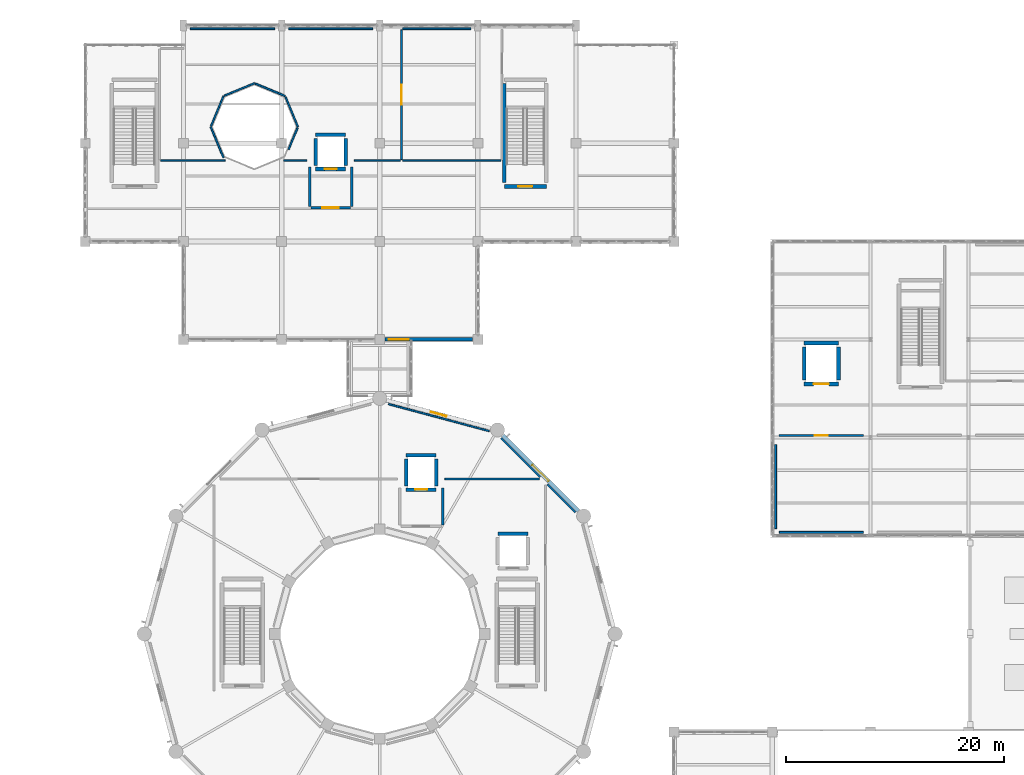
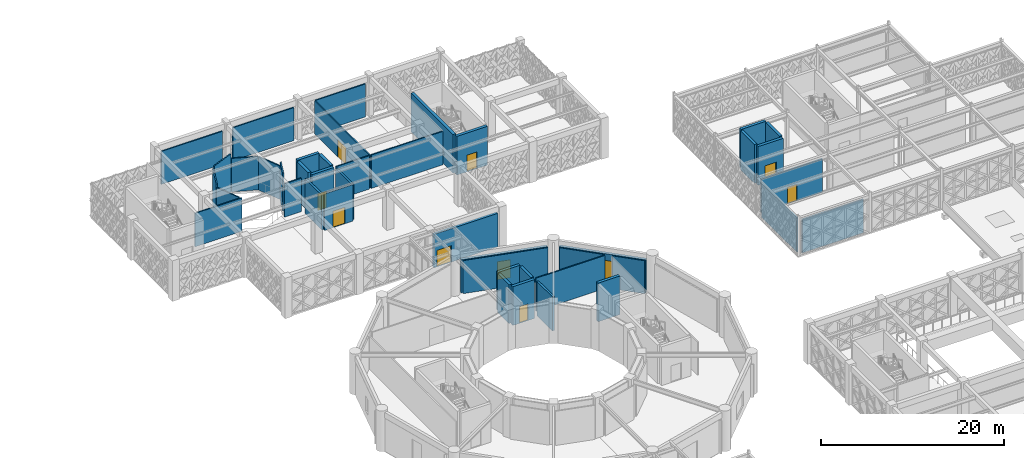
# One storey, part 135 of 155: 43 walls, 8 doors, 2 windows, 10 openings.
"""IFC4 building model written with IfcOpenShell, lengths in metres."""

from ifc_helpers import new_model, si_unit, direction, frame, frame_2d, origin, place, context, subcontext, project, spatial, rectangle, extrude, material, layer, layer_set, type_object, element, fill, save


model = new_model("IFC4")

# Units and contexts
model_context = context("Model", 3, precision=1e-05, world=origin(), true_north=direction((0.0, 1.0)))
body_context = subcontext(model_context, "Body", "Model", "MODEL_VIEW")
ifc_project = project(units=[si_unit("LENGTHUNIT", "METRE"), si_unit("AREAUNIT", "SQUARE_METRE"), si_unit("VOLUMEUNIT", "CUBIC_METRE"), si_unit("PLANEANGLEUNIT", "RADIAN"), si_unit("MASSUNIT", "GRAM", prefix="KILO")], contexts=[model_context])

# Site, building, storey
site_placement = place(None, origin())
site = spatial("IfcSite", under=ifc_project, at=site_placement, CompositionType="ELEMENT")
building_placement = place(site_placement, origin())
building = spatial("IfcBuilding", under=site, at=building_placement, Name="Haizhuo Lancet Aquarium", CompositionType="ELEMENT")
storey_placement = place(building_placement, frame((0.0, 0.0, 10.800048828125)))
storey = spatial("IfcBuildingStorey", under=building, at=storey_placement, Name="L02", CompositionType="ELEMENT", Elevation=10.800048828125)

# Wall, opening, door
ifc_material_1 = material(Name="Shandong Grey Limestone Ashlar", Category="masonry")
ifc_layer_1 = layer(ifc_material_1, 0.320068359375)
ifc_layer_set_1 = layer_set([ifc_layer_1], Name="Shandong Grey Limestone Ashlar")
wall_type_1 = type_object("IfcWallType", Name="EWL-ASH-320", PredefinedType="SOLIDWALL", material=ifc_layer_set_1)
wall_1_placement = place(storey_placement, frame((8.5048828125, 27.0, 0.0), z_axis=(0.0, 0.0, 1.0), x_axis=(-1.0, 0.0, 0.0)))
wall_1 = element("IfcWall", 1, at=wall_1_placement, inside=storey, type_object=wall_type_1, Name="L02 V5 sky-bridge portal wall", PredefinedType="SOLIDWALL", context=body_context, shape_type="SweptSolid", body=[
    extrude(rectangle(XDim=8.009765625, YDim=0.320068359375, at=frame_2d((4.0048828125, 0.0))), origin(), (0.0, 0.0, 1.0), 4.445068359375),
])
opening_1_placement = place(wall_1_placement, frame((5.860107421875, 0.0, 0.0)))
opening_1 = element("IfcOpeningElement", 2, at=opening_1_placement, cuts=wall_1, Name="Opening EX-01", PredefinedType="OPENING", context=body_context, shape_type="SweptSolid", body=[
    extrude(rectangle(XDim=1.800048828125, YDim=2.199951171875, at=frame_2d((0.89990234375, 1.10009765625))), frame((0.0, 0.169921875, 0.0), z_axis=(0.0, -1.0, 0.0), x_axis=(1.0, 0.0, 0.0)), (0.0, 0.0, 1.0), 0.340068),
])
ifc_material_2 = material(Name="Steel S355", Category="steel")
door_type_1 = type_object("IfcDoorType", Name="EDR-EXIT-1800x2200", OperationType="NOTDEFINED", PredefinedType="DOOR", material=ifc_material_2)
door_1_placement = place(opening_1_placement, origin())
door_1 = element("IfcDoor", 3, at=door_1_placement, inside=storey, type_object=door_type_1, Name="L02 V5 sky-bridge vestibule fire door", OperationType="DOUBLE_DOOR_SINGLE_SWING", OverallHeight=2.199951171875, OverallWidth=1.800048828125, PredefinedType="DOOR", context=body_context, shape_type="SweptSolid", body=[
    extrude(rectangle(XDim=1.800048828125, YDim=2.199951171875, at=frame_2d((0.89990234375, 1.10009765625))), frame((0.0, 0.02490234375, 0.0), z_axis=(0.0, -1.0, 0.0), x_axis=(1.0, 0.0, 0.0)), (0.0, 0.0, 1.0), 0.050048828125),
])
fill(opening_1, door_1)

# Wall, opening, window
ifc_layer_2 = layer(ifc_material_1, 0.360107421875)
ifc_layer_set_2 = layer_set([ifc_layer_2], Name="Shandong Grey Limestone Ashlar")
wall_type_2 = type_object("IfcWallType", Name="EWL-ASH-360", PredefinedType="SOLIDWALL", material=ifc_layer_set_2)
wall_2_placement = place(storey_placement, frame((11.291015625, 18.215087890625, 0.0), z_axis=(0.0, 0.0, 1.0), x_axis=(0.707106781187, -0.707106781187, 0.0)))
wall_2 = element("IfcWall", 4, at=wall_2_placement, inside=storey, type_object=wall_type_2, Name="L02 V1 limestone drum wall bay 2", PredefinedType="SOLIDWALL", context=body_context, shape_type="SweptSolid", body=[
    extrude(rectangle(XDim=9.792236328125, YDim=0.360107421875, at=frame_2d((4.89599609375, 0.0))), origin(), (0.0, 0.0, 1.0), 4.39501953125),
])
opening_2_placement = place(wall_2_placement, frame((3.845947265625, 0.0, 0.89990234375)))
opening_2 = element("IfcOpeningElement", 5, at=opening_2_placement, cuts=wall_2, Name="Opening WN-07", PredefinedType="OPENING", context=body_context, shape_type="SweptSolid", body=[
    extrude(rectangle(XDim=2.10009765625, YDim=2.60009765625, at=frame_2d((1.050048828125, 1.300048828125))), frame((0.0, 0.18994140625, 0.0), z_axis=(0.0, -1.0, 0.0), x_axis=(1.0, 0.0, 0.0)), (0.0, 0.0, 1.0), 0.380107),
])
ifc_material_3 = material(Name="Laminated Low-E Glass", Category="glass")
window_type_1 = type_object("IfcWindowType", Name="WIN-LAN-2100x2600", PartitioningType="SINGLE_PANEL", PredefinedType="WINDOW", material=ifc_material_3)
window_1_placement = place(opening_2_placement, origin())
window_1 = element("IfcWindow", 6, at=window_1_placement, inside=storey, type_object=window_type_1, Name="L02 Gothic lancet window 22", OverallHeight=2.60009765625, OverallWidth=2.10009765625, PartitioningType="SINGLE_PANEL", PredefinedType="WINDOW", context=body_context, shape_type="SweptSolid", body=[
    extrude(rectangle(XDim=2.10009765625, YDim=2.60009765625, at=frame_2d((1.050048828125, 1.300048828125))), frame((0.0, 0.030029296875, 0.0), z_axis=(0.0, -1.0, 0.0), x_axis=(1.0, 0.0, 0.0)), (0.0, 0.0, 1.0), 0.06005859375),
])
fill(opening_2, window_1)

wall_3_placement = place(storey_placement, frame((0.6708984375, 21.419921875, 0.0), z_axis=(0.0, 0.0, 1.0), x_axis=(0.965934251614, -0.258787599316, 0.0)))
wall_3 = element("IfcWall", 7, at=wall_3_placement, inside=storey, type_object=wall_type_2, Name="L02 V1 limestone drum wall bay 3", PredefinedType="SOLIDWALL", context=body_context, shape_type="SweptSolid", body=[
    extrude(rectangle(XDim=9.79150390625, YDim=0.360107421875, at=frame_2d((4.895751953125, 0.0))), origin(), (0.0, 0.0, 1.0), 4.39501953125),
])
opening_3_placement = place(wall_3_placement, frame((4.14599609375, 0.0, 0.89990234375)))
opening_3 = element("IfcOpeningElement", 8, at=opening_3_placement, cuts=wall_3, Name="Opening WN-04", PredefinedType="OPENING", context=body_context, shape_type="SweptSolid", body=[
    extrude(rectangle(XDim=1.5, YDim=2.39990234375, at=frame_2d((0.75, 1.199951171875))), frame((0.0, 0.18994140625, 0.0), z_axis=(0.0, -1.0, 0.0), x_axis=(1.0, 0.0, 0.0)), (0.0, 0.0, 1.0), 0.380107),
])
window_type_2 = type_object("IfcWindowType", Name="WIN-LAN-1500x2400", PartitioningType="SINGLE_PANEL", PredefinedType="WINDOW", material=ifc_material_3)
window_2_placement = place(opening_3_placement, origin())
window_2 = element("IfcWindow", 9, at=window_2_placement, inside=storey, type_object=window_type_2, Name="L02 Gothic lancet window 23", OverallHeight=2.39990234375, OverallWidth=1.5, PartitioningType="SINGLE_PANEL", PredefinedType="WINDOW", context=body_context, shape_type="SweptSolid", body=[
    extrude(rectangle(XDim=1.5, YDim=2.39990234375, at=frame_2d((0.75, 1.199951171875))), frame((0.0, 0.030029296875, 0.0), z_axis=(0.0, -1.0, 0.0), x_axis=(1.0, 0.0, 0.0)), (0.0, 0.0, 1.0), 0.06005859375),
])
fill(opening_3, window_2)

# Wall
ifc_material_4 = material(Name="Concrete C40/50", Category="concrete")
ifc_layer_3 = layer(ifc_material_4, 0.239990234375)
ifc_layer_set_3 = layer_set([ifc_layer_3], Name="Concrete C40/50")
wall_type_3 = type_object("IfcWallType", Name="IWL-FIRE-240", PredefinedType="PARTITIONING", material=ifc_layer_set_3)
wall_4_placement = place(storey_placement, frame((5.77001953125, 10.0, 0.0), z_axis=(0.0, 0.0, 1.0), x_axis=(0.0, 1.0, 0.0)))
element("IfcWall", 10, at=wall_4_placement, inside=storey, type_object=wall_type_3, Name="L02 LF-01 firefighting lift lobby firewall E", PredefinedType="PARTITIONING", context=body_context, shape_type="SweptSolid", body=[
    extrude(rectangle(XDim=3.39990234375, YDim=0.239990234375, at=frame_2d((1.699951171875, 0.0))), origin(), (0.0, 0.0, 1.0), 4.544921875),
])

# Wall, opening, door
wall_5_placement = place(storey_placement, frame((-6.300048828125, 39.080078125, 0.0), z_axis=(0.0, 0.0, 1.0), x_axis=(1.0, 0.0, 0.0)))
wall_5 = element("IfcWall", 11, at=wall_5_placement, inside=storey, type_object=wall_type_3, Name="L02 LF-02 protected lift lobby firewall S", PredefinedType="PARTITIONING", context=body_context, shape_type="SweptSolid", body=[
    extrude(rectangle(XDim=3.60009765625, YDim=0.239990234375, at=frame_2d((1.800048828125, 0.0))), origin(), (0.0, 0.0, 1.0), 4.844970703125),
])
opening_4_placement = place(wall_5_placement, frame((1.050048828125, 0.0, 0.0)))
opening_4 = element("IfcOpeningElement", 12, at=opening_4_placement, cuts=wall_5, Name="Opening FD-03", PredefinedType="OPENING", context=body_context, shape_type="SweptSolid", body=[
    extrude(rectangle(XDim=1.5, YDim=2.199951171875, at=frame_2d((0.75, 1.10009765625))), frame((0.0, 0.1298828125, 0.0), z_axis=(0.0, -1.0, 0.0), x_axis=(1.0, 0.0, 0.0)), (0.0, 0.0, 1.0), 0.25999),
])
door_type_2 = type_object("IfcDoorType", Name="IDR-FFL-1500x2200", OperationType="NOTDEFINED", PredefinedType="DOOR", material=ifc_material_2)
door_2_placement = place(opening_4_placement, origin())
door_2 = element("IfcDoor", 13, at=door_2_placement, inside=storey, type_object=door_type_2, Name="L02 LF-02 protected lift lobby door", OperationType="SINGLE_SWING_LEFT", OverallHeight=2.199951171875, OverallWidth=1.5, PredefinedType="DOOR", context=body_context, shape_type="SweptSolid", body=[
    extrude(rectangle(XDim=1.5, YDim=2.199951171875, at=frame_2d((0.75, 1.10009765625))), frame((0.0, 0.02490234375, 0.0), z_axis=(0.0, -1.0, 0.0), x_axis=(1.0, 0.0, 0.0)), (0.0, 0.0, 1.0), 0.050048828125),
])
fill(opening_4, door_2)

# Walls
for number, where, z_axis, x_axis, name in (
    (14, (-6.419921875, 39.199951171875, 0.0), (0.0, 0.0, 1.0), (0.0, 1.0, 0.0), "L02 LF-02 protected lift lobby firewall W"),
    (15, (-2.580078125, 39.199951171875, 0.0), (0.0, 0.0, 1.0), (0.0, 1.0, 0.0), "L02 LF-02 protected lift lobby firewall E"),
):
    element("IfcWall", number, at=place(storey_placement, frame(where, z_axis=z_axis, x_axis=x_axis)), inside=storey, type_object=wall_type_3, Name=name, PredefinedType="PARTITIONING", context=body_context, shape_type="SweptSolid", body=[
        extrude(rectangle(XDim=3.60009765625, YDim=0.239990234375, at=frame_2d((1.800048828125, 0.0))), origin(), (0.0, 0.0, 1.0), 4.64501953125),
    ])
ifc_layer_4 = layer(ifc_material_4, 0.179931640625)
ifc_layer_set_4 = layer_set([ifc_layer_4], Name="Concrete C40/50")
wall_type_4 = type_object("IfcWallType", Name="IWL-LAB-180", PredefinedType="PARTITIONING", material=ifc_layer_set_4)
wall_6_placement = place(storey_placement, frame((36.64990234375, 9.300048828125, 0.0), z_axis=(0.0, 0.0, 1.0), x_axis=(1.0, 0.0, 0.0)))
element("IfcWall", 16, at=wall_6_placement, inside=storey, type_object=wall_type_4, Name="L02 partition wall 426", PredefinedType="PARTITIONING", context=body_context, shape_type="SweptSolid", body=[
    extrude(rectangle(XDim=7.7001953125, YDim=0.179931640625, at=frame_2d((3.85009765625, 0.0))), origin(), (0.0, 0.0, 1.0), 4.447021484375),
])

# Wall, opening, door
wall_7_placement = place(storey_placement, frame((44.360107421875, 18.199951171875, 0.0), z_axis=(0.0, 0.0, 1.0), x_axis=(-0.999999967998, -0.000252988418, 0.0)))
wall_7 = element("IfcWall", 17, at=wall_7_placement, inside=storey, type_object=wall_type_4, Name="L02 partition wall 436", PredefinedType="PARTITIONING", context=body_context, shape_type="SweptSolid", body=[
    extrude(rectangle(XDim=7.72021484375, YDim=0.179931640625, at=frame_2d((3.860107421875, 0.0))), origin(), (0.0, 0.0, 1.0), 4.447021484375),
])
opening_5_placement = place(wall_7_placement, frame((3.260009765625, 0.0, 0.0)))
opening_5 = element("IfcOpeningElement", 18, at=opening_5_placement, cuts=wall_7, Name="Opening D-04", PredefinedType="OPENING", context=body_context, shape_type="SweptSolid", body=[
    extrude(rectangle(XDim=1.199951171875, YDim=2.199951171875, at=frame_2d((0.60009765625, 1.10009765625))), frame((0.0, 0.099853515625, 0.0), z_axis=(0.0, -1.0, 0.0), x_axis=(1.0, 0.0, 0.0)), (0.0, 0.0, 1.0), 0.199932),
])
door_type_3 = type_object("IfcDoorType", Name="IDR-LAB-1200x2200", OperationType="NOTDEFINED", PredefinedType="DOOR", material=ifc_material_2)
door_3_placement = place(opening_5_placement, origin())
door_3 = element("IfcDoor", 19, at=door_3_placement, inside=storey, type_object=door_type_3, Name="L02 Quarantine Veterinary Holding Suite door", OperationType="SINGLE_SWING_RIGHT", OverallHeight=2.199951171875, OverallWidth=1.199951171875, PredefinedType="DOOR", context=body_context, shape_type="SweptSolid", body=[
    extrude(rectangle(XDim=1.199951171875, YDim=2.199951171875, at=frame_2d((0.60009765625, 1.10009765625))), frame((0.0, 0.02490234375, 0.0), z_axis=(0.0, -1.0, 0.0), x_axis=(1.0, 0.0, 0.0)), (0.0, 0.0, 1.0), 0.050048828125),
])
fill(opening_5, door_3)

# Walls
wall_8_placement = place(storey_placement, frame((36.300048828125, 17.35009765625, 0.0), z_axis=(0.0, 0.0, 1.0), x_axis=(0.0, -1.0, 0.0)))
element("IfcWall", 20, at=wall_8_placement, inside=storey, type_object=wall_type_4, Name="L02 partition wall 437", PredefinedType="PARTITIONING", context=body_context, shape_type="SweptSolid", body=[
    extrude(rectangle(XDim=7.7001953125, YDim=0.179931640625, at=frame_2d((3.85009765625, 0.0))), origin(), (0.0, 0.0, 1.0), 4.534912109375),
])
ifc_material_5 = material(Name="Gypsum Fireboard Partition")
ifc_layer_5 = layer(ifc_material_5, 0.14990234375)
ifc_layer_set_5 = layer_set([ifc_layer_5], Name="Gypsum Fireboard Partition")
wall_type_5 = type_object("IfcWallType", Name="IWL-STD-150", PredefinedType="PARTITIONING", material=ifc_layer_set_5)
wall_9_placement = place(storey_placement, frame((17.946044921875, 11.135009765625, 0.0), z_axis=(0.0, 0.0, 1.0), x_axis=(-0.706972707094, 0.707240829862, 0.0)))
element("IfcWall", 21, at=wall_9_placement, inside=storey, type_object=wall_type_5, Name="L02 partition wall 355", PredefinedType="PARTITIONING", context=body_context, shape_type="SweptSolid", body=[
    extrude(rectangle(XDim=3.642333984375, YDim=0.14990234375, at=frame_2d((1.8212890625, 0.0))), origin(), (0.0, 0.0, 1.0), 4.39501953125),
])
wall_10_placement = place(storey_placement, frame((5.97509765625, 14.201904296875, 0.0), z_axis=(0.0, 0.0, 1.0), x_axis=(0.999999974595, -0.000225409253, 0.0)))
element("IfcWall", 22, at=wall_10_placement, inside=storey, type_object=wall_type_5, Name="L02 partition wall 365", PredefinedType="PARTITIONING", context=body_context, shape_type="SweptSolid", body=[
    extrude(rectangle(XDim=8.664794921875, YDim=0.14990234375, at=frame_2d((4.33251953125, 0.0))), origin(), (0.0, 0.0, 1.0), 4.39501953125),
])
wall_11_placement = place(storey_placement, frame((14.7109375, 14.37109375, 0.0), z_axis=(0.0, 0.0, 1.0), x_axis=(-0.707203340899, 0.707010208287, 0.0)))
element("IfcWall", 23, at=wall_11_placement, inside=storey, type_object=wall_type_5, Name="L02 partition wall 366", PredefinedType="PARTITIONING", context=body_context, shape_type="SweptSolid", body=[
    extrude(rectangle(XDim=5.056396484375, YDim=0.14990234375, at=frame_2d((2.5283203125, 0.0))), origin(), (0.0, 0.0, 1.0), 4.39501953125),
])
wall_12_placement = place(storey_placement, frame((10.0400390625, 18.596923828125, 0.0), z_axis=(0.0, 0.0, 1.0), x_axis=(-0.965872416838, 0.259018289684, 0.0)))
element("IfcWall", 24, at=wall_12_placement, inside=storey, type_object=wall_type_5, Name="L02 partition wall 367", PredefinedType="PARTITIONING", context=body_context, shape_type="SweptSolid", body=[
    extrude(rectangle(XDim=9.57080078125, YDim=0.14990234375, at=frame_2d((4.785400390625, 0.0))), origin(), (0.0, 0.0, 1.0), 4.39501953125),
])
wall_13_placement = place(storey_placement, frame((-20.10009765625, 43.39990234375, 0.0), z_axis=(0.0, 0.0, 1.0), x_axis=(1.0, 0.0, 0.0)))
element("IfcWall", 25, at=wall_13_placement, inside=storey, type_object=wall_type_5, Name="L02 partition wall 396", PredefinedType="PARTITIONING", context=body_context, shape_type="SweptSolid", body=[
    extrude(rectangle(XDim=5.926025390625, YDim=0.14990234375, at=frame_2d((2.962890625, 0.0))), origin(), (0.0, 0.0, 1.0), 4.445068359375),
])
wall_14_placement = place(storey_placement, frame((-14.3291015625, 43.674072265625, 0.0), z_axis=(0.0, 0.0, 1.0), x_axis=(-0.382286027274, 0.924044042971, 0.0)))
element("IfcWall", 26, at=wall_14_placement, inside=storey, type_object=wall_type_5, Name="L02 partition wall 397", PredefinedType="PARTITIONING", context=body_context, shape_type="SweptSolid", body=[
    extrude(rectangle(XDim=3.060302734375, YDim=0.14990234375, at=frame_2d((1.5302734375, 0.0))), origin(), (0.0, 0.0, 1.0), 4.39501953125),
])
wall_15_placement = place(storey_placement, frame((-15.465087890625, 46.5849609375, 0.0), z_axis=(0.0, 0.0, 1.0), x_axis=(0.382985932097, 0.923754174992, 0.0)))
element("IfcWall", 27, at=wall_15_placement, inside=storey, type_object=wall_type_5, Name="L02 partition wall 398", PredefinedType="PARTITIONING", context=body_context, shape_type="SweptSolid", body=[
    extrude(rectangle(XDim=2.96923828125, YDim=0.14990234375, at=frame_2d((1.484619140625, 0.0))), origin(), (0.0, 0.0, 1.0), 4.744873046875),
])
wall_16_placement = place(storey_placement, frame((-14.2451171875, 49.362060546875, 0.0), z_axis=(0.0, 0.0, 1.0), x_axis=(0.923775431697, 0.382934657341, 0.0)))
element("IfcWall", 28, at=wall_16_placement, inside=storey, type_object=wall_type_5, Name="L02 partition wall 399", PredefinedType="PARTITIONING", context=body_context, shape_type="SweptSolid", body=[
    extrude(rectangle(XDim=2.9716796875, YDim=0.14990234375, at=frame_2d((1.48583984375, 0.0))), origin(), (0.0, 0.0, 1.0), 5.050048828125),
])
wall_17_placement = place(storey_placement, frame((-11.4169921875, 50.466064453125, 0.0), z_axis=(0.0, 0.0, 1.0), x_axis=(0.923734314356, -0.383033832031, 0.0)))
element("IfcWall", 29, at=wall_17_placement, inside=storey, type_object=wall_type_5, Name="L02 partition wall 400", PredefinedType="PARTITIONING", context=body_context, shape_type="SweptSolid", body=[
    extrude(rectangle(XDim=2.971435546875, YDim=0.14990234375, at=frame_2d((1.48583984375, 0.0))), origin(), (0.0, 0.0, 1.0), 4.445068359375),
])
wall_18_placement = place(storey_placement, frame((-8.637939453125, 49.2451171875, 0.0), z_axis=(0.0, 0.0, 1.0), x_axis=(0.382886684653, -0.923795316461, 0.0)))
element("IfcWall", 30, at=wall_18_placement, inside=storey, type_object=wall_type_5, Name="L02 partition wall 401", PredefinedType="PARTITIONING", context=body_context, shape_type="SweptSolid", body=[
    extrude(rectangle(XDim=2.969482421875, YDim=0.14990234375, at=frame_2d((1.48486328125, 0.0))), origin(), (0.0, 0.0, 1.0), 4.445068359375),
])
wall_19_placement = place(storey_placement, frame((-7.534912109375, 46.4189453125, 0.0), z_axis=(0.0, 0.0, 1.0), x_axis=(-0.382564297979, -0.923928870591, 0.0)))
element("IfcWall", 31, at=wall_19_placement, inside=storey, type_object=wall_type_5, Name="L02 partition wall 402", PredefinedType="PARTITIONING", context=body_context, shape_type="SweptSolid", body=[
    extrude(rectangle(XDim=2.16455078125, YDim=0.14990234375, at=frame_2d((1.082275390625, 0.0))), origin(), (0.0, 0.0, 1.0), 5.050048828125),
])
wall_20_placement = place(storey_placement, frame((-8.825927734375, 43.39990234375, 0.0), z_axis=(0.0, 0.0, 1.0), x_axis=(1.0, 0.0, 0.0)))
element("IfcWall", 32, at=wall_20_placement, inside=storey, type_object=wall_type_5, Name="L02 partition wall 403", PredefinedType="PARTITIONING", context=body_context, shape_type="SweptSolid", body=[
    extrude(rectangle(XDim=2.15087890625, YDim=0.14990234375, at=frame_2d((1.075439453125, 0.0))), origin(), (0.0, 0.0, 1.0), 4.445068359375),
])
wall_21_placement = place(storey_placement, frame((-2.324951171875, 43.403076171875, 0.0), z_axis=(0.0, 0.0, 1.0), x_axis=(0.999999717828, -0.000751227757, 0.0)))
element("IfcWall", 33, at=wall_21_placement, inside=storey, type_object=wall_type_5, Name="L02 partition wall 404", PredefinedType="PARTITIONING", context=body_context, shape_type="SweptSolid", body=[
    extrude(rectangle(XDim=4.224853515625, YDim=0.14990234375, at=frame_2d((2.1123046875, 0.0))), origin(), (0.0, 0.0, 1.0), 4.445068359375),
])

# Wall, opening, door
wall_22_placement = place(storey_placement, frame((2.0, 43.5, 0.0), z_axis=(0.0, 0.0, 1.0), x_axis=(0.0, 1.0, 0.0)))
wall_22 = element("IfcWall", 34, at=wall_22_placement, inside=storey, type_object=wall_type_5, Name="L02 partition wall 405", PredefinedType="PARTITIONING", context=body_context, shape_type="SweptSolid", body=[
    extrude(rectangle(XDim=11.89990234375, YDim=0.14990234375, at=frame_2d((5.949951171875, 0.0))), origin(), (0.0, 0.0, 1.0), 4.39501953125),
])
opening_6_placement = place(wall_22_placement, frame((5.050048828125, 0.0, 0.0)))
opening_6 = element("IfcOpeningElement", 35, at=opening_6_placement, cuts=wall_22, Name="Opening D-02", PredefinedType="OPENING", context=body_context, shape_type="SweptSolid", body=[
    extrude(rectangle(XDim=1.800048828125, YDim=2.300048828125, at=frame_2d((0.89990234375, 1.14990234375))), frame((0.0, 0.0849609375, 0.0), z_axis=(0.0, -1.0, 0.0), x_axis=(1.0, 0.0, 0.0)), (0.0, 0.0, 1.0), 0.169902),
])
ifc_material_6 = material(Name="Aluminium 6063-T6", Category="aluminium")
door_type_4 = type_object("IfcDoorType", Name="IDR-GAL-1800x2300", OperationType="NOTDEFINED", PredefinedType="DOOR", material=ifc_material_6)
door_4_placement = place(opening_6_placement, origin())
door_4 = element("IfcDoor", 36, at=door_4_placement, inside=storey, type_object=door_type_4, Name="L02 Jellyfish Kreisel Exhibit Gallery door", OperationType="DOUBLE_DOOR_SINGLE_SWING", OverallHeight=2.300048828125, OverallWidth=1.800048828125, PredefinedType="DOOR", context=body_context, shape_type="SweptSolid", body=[
    extrude(rectangle(XDim=1.800048828125, YDim=2.300048828125, at=frame_2d((0.89990234375, 1.14990234375))), frame((0.0, 0.02490234375, 0.0), z_axis=(0.0, -1.0, 0.0), x_axis=(1.0, 0.0, 0.0)), (0.0, 0.0, 1.0), 0.050048828125),
])
fill(opening_6, door_4)

# Walls
wall_23_placement = place(storey_placement, frame((-0.64990234375, 55.5, 0.0), z_axis=(0.0, 0.0, 1.0), x_axis=(-1.0, 0.0, 0.0)))
element("IfcWall", 37, at=wall_23_placement, inside=storey, type_object=wall_type_5, Name="L02 partition wall 406", PredefinedType="PARTITIONING", context=body_context, shape_type="SweptSolid", body=[
    extrude(rectangle(XDim=7.7001953125, YDim=0.14990234375, at=frame_2d((3.85009765625, 0.0))), origin(), (0.0, 0.0, 1.0), 4.39501953125),
])
wall_24_placement = place(storey_placement, frame((-9.64990234375, 55.5, 0.0), z_axis=(0.0, 0.0, 1.0), x_axis=(-1.0, 0.0, 0.0)))
element("IfcWall", 38, at=wall_24_placement, inside=storey, type_object=wall_type_5, Name="L02 partition wall 407", PredefinedType="PARTITIONING", context=body_context, shape_type="SweptSolid", body=[
    extrude(rectangle(XDim=7.710205078125, YDim=0.14990234375, at=frame_2d((3.85498046875, 0.0))), origin(), (0.0, 0.0, 1.0), 4.39501953125),
])
wall_25_placement = place(storey_placement, frame((8.35009765625, 55.5, 0.0), z_axis=(0.0, 0.0, 1.0), x_axis=(-1.0, 0.0, 0.0)))
element("IfcWall", 39, at=wall_25_placement, inside=storey, type_object=wall_type_5, Name="L02 partition wall 409", PredefinedType="PARTITIONING", context=body_context, shape_type="SweptSolid", body=[
    extrude(rectangle(XDim=6.25, YDim=0.14990234375, at=frame_2d((3.125, 0.0))), origin(), (0.0, 0.0, 1.0), 4.39501953125),
])
wall_26_placement = place(storey_placement, frame((2.10009765625, 43.39990234375, 0.0), z_axis=(0.0, 0.0, 1.0), x_axis=(1.0, 0.0, 0.0)))
element("IfcWall", 40, at=wall_26_placement, inside=storey, type_object=wall_type_5, Name="L02 partition wall 410", PredefinedType="PARTITIONING", context=body_context, shape_type="SweptSolid", body=[
    extrude(rectangle(XDim=9.0, YDim=0.14990234375, at=frame_2d((4.5, 0.0))), origin(), (0.0, 0.0, 1.0), 4.445068359375),
])

# Wall, opening, door
ifc_layer_6 = layer(ifc_material_4, 0.35009765625)
ifc_layer_set_6 = layer_set([ifc_layer_6], Name="Concrete C40/50")
wall_type_6 = type_object("IfcWallType", Name="WL-CORE-350", PredefinedType="SHEAR", material=ifc_layer_set_6)
wall_27_placement = place(storey_placement, frame((11.425048828125, 41.02490234375, 0.0), z_axis=(0.0, 0.0, 1.0), x_axis=(1.0, 0.0, 0.0)))
wall_27 = element("IfcWall", 41, at=wall_27_placement, inside=storey, type_object=wall_type_6, Name="L02 ST-08 core shear wall S", PredefinedType="SHEAR", context=body_context, shape_type="SweptSolid", body=[
    extrude(rectangle(XDim=3.849853515625, YDim=0.35009765625, at=frame_2d((1.9248046875, 0.0))), origin(), (0.0, 0.0, 1.0), 5.159912109375),
])
opening_7_placement = place(wall_27_placement, frame((1.27490234375, 0.0, 0.0)))
opening_7 = element("IfcOpeningElement", 42, at=opening_7_placement, cuts=wall_27, Name="Opening FD-02", PredefinedType="OPENING", context=body_context, shape_type="SweptSolid", body=[
    extrude(rectangle(XDim=1.300048828125, YDim=2.199951171875, at=frame_2d((0.64990234375, 1.10009765625))), frame((0.0, 0.18505859375, 0.0), z_axis=(0.0, -1.0, 0.0), x_axis=(1.0, 0.0, 0.0)), (0.0, 0.0, 1.0), 0.370098),
])
door_type_5 = type_object("IfcDoorType", Name="IDR-STAIR-1300x2200", OperationType="NOTDEFINED", PredefinedType="DOOR", material=ifc_material_2)
door_5_placement = place(opening_7_placement, origin())
door_5 = element("IfcDoor", 43, at=door_5_placement, inside=storey, type_object=door_type_5, Name="L02 ST-08 stairwell fire door", OperationType="SINGLE_SWING_RIGHT", OverallHeight=2.199951171875, OverallWidth=1.300048828125, PredefinedType="DOOR", context=body_context, shape_type="SweptSolid", body=[
    extrude(rectangle(XDim=1.300048828125, YDim=2.199951171875, at=frame_2d((0.64990234375, 1.10009765625))), frame((0.0, 0.02490234375, 0.0), z_axis=(0.0, -1.0, 0.0), x_axis=(1.0, 0.0, 0.0)), (0.0, 0.0, 1.0), 0.050048828125),
])
fill(opening_7, door_5)

# Wall
wall_28_placement = place(storey_placement, frame((11.425048828125, 41.375, 0.0), z_axis=(0.0, 0.0, 1.0), x_axis=(0.0, 1.0, 0.0)))
element("IfcWall", 44, at=wall_28_placement, inside=storey, type_object=wall_type_6, Name="L02 ST-08 core shear wall W", PredefinedType="SHEAR", context=body_context, shape_type="SweptSolid", body=[
    extrude(rectangle(XDim=9.10009765625, YDim=0.35009765625, at=frame_2d((4.550048828125, 0.0))), origin(), (0.0, 0.0, 1.0), 5.159912109375),
])

# Wall, opening, door
wall_29_placement = place(storey_placement, frame((2.425048828125, 13.22509765625, 0.0), z_axis=(0.0, 0.0, 1.0), x_axis=(1.0, 0.0, 0.0)))
wall_29 = element("IfcWall", 45, at=wall_29_placement, inside=storey, type_object=wall_type_6, Name="L02 LF-01 lift shaft wall -Y", PredefinedType="SHEAR", context=body_context, shape_type="SweptSolid", body=[
    extrude(rectangle(XDim=2.75, YDim=0.35009765625, at=frame_2d((1.375, 0.0))), origin(), (0.0, 0.0, 1.0), 5.159912109375),
])
opening_8_placement = place(wall_29_placement, frame((0.824951171875, 0.0, 0.0)))
opening_8 = element("IfcOpeningElement", 46, at=opening_8_placement, cuts=wall_29, Name="Opening LD-01", PredefinedType="OPENING", context=body_context, shape_type="SweptSolid", body=[
    extrude(rectangle(XDim=1.10009765625, YDim=2.199951171875, at=frame_2d((0.550048828125, 1.10009765625))), frame((0.0, 0.18505859375, 0.0), z_axis=(0.0, -1.0, 0.0), x_axis=(1.0, 0.0, 0.0)), (0.0, 0.0, 1.0), 0.370098),
])
door_type_6 = type_object("IfcDoorType", Name="IDR-LIFT-1100x2200", OperationType="NOTDEFINED", PredefinedType="DOOR", material=ifc_material_2)
door_6_placement = place(opening_8_placement, origin())
door_6 = element("IfcDoor", 47, at=door_6_placement, inside=storey, type_object=door_type_6, Name="L02 LF-01 sliding lift landing door", OperationType="DOUBLE_DOOR_SLIDING", OverallHeight=2.199951171875, OverallWidth=1.10009765625, PredefinedType="DOOR", context=body_context, shape_type="SweptSolid", body=[
    extrude(rectangle(XDim=1.10009765625, YDim=2.199951171875, at=frame_2d((0.550048828125, 1.10009765625))), frame((0.0, 0.02490234375, 0.0), z_axis=(0.0, -1.0, 0.0), x_axis=(1.0, 0.0, 0.0)), (0.0, 0.0, 1.0), 0.050048828125),
])
fill(opening_8, door_6)

# Walls
wall_30_placement = place(storey_placement, frame((5.175048828125, 16.375, 0.0), z_axis=(0.0, 0.0, 1.0), x_axis=(-1.0, 0.0, 0.0)))
element("IfcWall", 48, at=wall_30_placement, inside=storey, type_object=wall_type_6, Name="L02 LF-01 lift shaft wall +Y", PredefinedType="SHEAR", context=body_context, shape_type="SweptSolid", body=[
    extrude(rectangle(XDim=2.75, YDim=0.35009765625, at=frame_2d((1.375, 0.0))), origin(), (0.0, 0.0, 1.0), 5.159912109375),
])
for number, where, z_axis, x_axis, name in (
    (49, (2.425048828125, 13.574951171875, 0.0), (0.0, 0.0, 1.0), (0.0, 1.0, 0.0), "L02 LF-01 lift shaft wall -X"),
    (50, (5.175048828125, 13.574951171875, 0.0), (0.0, 0.0, 1.0), (0.0, 1.0, 0.0), "L02 LF-01 lift shaft wall +X"),
):
    element("IfcWall", number, at=place(storey_placement, frame(where, z_axis=z_axis, x_axis=x_axis)), inside=storey, type_object=wall_type_6, Name=name, PredefinedType="SHEAR", context=body_context, shape_type="SweptSolid", body=[
        extrude(rectangle(XDim=2.449951171875, YDim=0.35009765625, at=frame_2d((1.22509765625, 0.0))), origin(), (0.0, 0.0, 1.0), 5.159912109375),
    ])

# Wall, opening, door
wall_31_placement = place(storey_placement, frame((-5.875, 42.625, 0.0), z_axis=(0.0, 0.0, 1.0), x_axis=(1.0, 0.0, 0.0)))
wall_31 = element("IfcWall", 51, at=wall_31_placement, inside=storey, type_object=wall_type_6, Name="L02 LF-02 lift shaft wall -Y", PredefinedType="SHEAR", context=body_context, shape_type="SweptSolid", body=[
    extrude(rectangle(XDim=2.75, YDim=0.35009765625, at=frame_2d((1.375, 0.0))), origin(), (0.0, 0.0, 1.0), 5.159912109375),
])
opening_9_placement = place(wall_31_placement, frame((0.824951171875, 0.0, 0.0)))
opening_9 = element("IfcOpeningElement", 52, at=opening_9_placement, cuts=wall_31, Name="Opening LD-01", PredefinedType="OPENING", context=body_context, shape_type="SweptSolid", body=[
    extrude(rectangle(XDim=1.10009765625, YDim=2.199951171875, at=frame_2d((0.550048828125, 1.10009765625))), frame((0.0, 0.18505859375, 0.0), z_axis=(0.0, -1.0, 0.0), x_axis=(1.0, 0.0, 0.0)), (0.0, 0.0, 1.0), 0.370098),
])
door_7_placement = place(opening_9_placement, origin())
door_7 = element("IfcDoor", 53, at=door_7_placement, inside=storey, type_object=door_type_6, Name="L02 LF-02 sliding lift landing door", OperationType="DOUBLE_DOOR_SLIDING", OverallHeight=2.199951171875, OverallWidth=1.10009765625, PredefinedType="DOOR", context=body_context, shape_type="SweptSolid", body=[
    extrude(rectangle(XDim=1.10009765625, YDim=2.199951171875, at=frame_2d((0.550048828125, 1.10009765625))), frame((0.0, 0.02490234375, 0.0), z_axis=(0.0, -1.0, 0.0), x_axis=(1.0, 0.0, 0.0)), (0.0, 0.0, 1.0), 0.050048828125),
])
fill(opening_9, door_7)

# Walls
wall_32_placement = place(storey_placement, frame((-3.125, 45.77490234375, 0.0), z_axis=(0.0, 0.0, 1.0), x_axis=(-1.0, 0.0, 0.0)))
element("IfcWall", 54, at=wall_32_placement, inside=storey, type_object=wall_type_6, Name="L02 LF-02 lift shaft wall +Y", PredefinedType="SHEAR", context=body_context, shape_type="SweptSolid", body=[
    extrude(rectangle(XDim=2.75, YDim=0.35009765625, at=frame_2d((1.375, 0.0))), origin(), (0.0, 0.0, 1.0), 5.159912109375),
])
for number, where, z_axis, x_axis, name in (
    (55, (-5.875, 42.97509765625, 0.0), (0.0, 0.0, 1.0), (0.0, 1.0, 0.0), "L02 LF-02 lift shaft wall -X"),
    (56, (-3.125, 42.97509765625, 0.0), (0.0, 0.0, 1.0), (0.0, 1.0, 0.0), "L02 LF-02 lift shaft wall +X"),
):
    element("IfcWall", number, at=place(storey_placement, frame(where, z_axis=z_axis, x_axis=x_axis)), inside=storey, type_object=wall_type_6, Name=name, PredefinedType="SHEAR", context=body_context, shape_type="SweptSolid", body=[
        extrude(rectangle(XDim=2.449951171875, YDim=0.35009765625, at=frame_2d((1.22509765625, 0.0))), origin(), (0.0, 0.0, 1.0), 5.159912109375),
    ])
wall_33_placement = place(storey_placement, frame((13.574951171875, 9.175048828125, 0.0), z_axis=(0.0, 0.0, 1.0), x_axis=(-1.0, 0.0, 0.0)))
element("IfcWall", 57, at=wall_33_placement, inside=storey, type_object=wall_type_6, Name="L02 LP-01 lift shaft wall +Y", PredefinedType="SHEAR", context=body_context, shape_type="SweptSolid", body=[
    extrude(rectangle(XDim=2.75, YDim=0.35009765625, at=frame_2d((1.375, 0.0))), origin(), (0.0, 0.0, 1.0), 5.159912109375),
])

# Wall, opening, door
wall_34_placement = place(storey_placement, frame((38.925048828125, 22.925048828125, 0.0), z_axis=(0.0, 0.0, 1.0), x_axis=(1.0, 0.0, 0.0)))
wall_34 = element("IfcWall", 58, at=wall_34_placement, inside=storey, type_object=wall_type_6, Name="L02 LG-01 lift shaft wall -Y", PredefinedType="SHEAR", context=body_context, shape_type="SweptSolid", body=[
    extrude(rectangle(XDim=3.14990234375, YDim=0.35009765625, at=frame_2d((1.574951171875, 0.0))), origin(), (0.0, 0.0, 1.0), 5.159912109375),
])
opening_10_placement = place(wall_34_placement, frame((0.875, 0.0, 0.0)))
opening_10 = element("IfcOpeningElement", 59, at=opening_10_placement, cuts=wall_34, Name="Opening LD-02", PredefinedType="OPENING", context=body_context, shape_type="SweptSolid", body=[
    extrude(rectangle(XDim=1.39990234375, YDim=2.300048828125, at=frame_2d((0.699951171875, 1.14990234375))), frame((0.0, 0.18505859375, 0.0), z_axis=(0.0, -1.0, 0.0), x_axis=(1.0, 0.0, 0.0)), (0.0, 0.0, 1.0), 0.370098),
])
door_type_7 = type_object("IfcDoorType", Name="IDR-LIFT-1400x2300", OperationType="NOTDEFINED", PredefinedType="DOOR", material=ifc_material_2)
door_8_placement = place(opening_10_placement, origin())
door_8 = element("IfcDoor", 60, at=door_8_placement, inside=storey, type_object=door_type_7, Name="L02 LG-01 sliding lift landing door", OperationType="DOUBLE_DOOR_SLIDING", OverallHeight=2.300048828125, OverallWidth=1.39990234375, PredefinedType="DOOR", context=body_context, shape_type="SweptSolid", body=[
    extrude(rectangle(XDim=1.39990234375, YDim=2.300048828125, at=frame_2d((0.699951171875, 1.14990234375))), frame((0.0, 0.02490234375, 0.0), z_axis=(0.0, -1.0, 0.0), x_axis=(1.0, 0.0, 0.0)), (0.0, 0.0, 1.0), 0.050048828125),
])
fill(opening_10, door_8)

# Walls
wall_35_placement = place(storey_placement, frame((42.074951171875, 26.675048828125, 0.0), z_axis=(0.0, 0.0, 1.0), x_axis=(-1.0, 0.0, 0.0)))
element("IfcWall", 61, at=wall_35_placement, inside=storey, type_object=wall_type_6, Name="L02 LG-01 lift shaft wall +Y", PredefinedType="SHEAR", context=body_context, shape_type="SweptSolid", body=[
    extrude(rectangle(XDim=3.14990234375, YDim=0.35009765625, at=frame_2d((1.574951171875, 0.0))), origin(), (0.0, 0.0, 1.0), 5.159912109375),
])
for number, where, z_axis, x_axis, name in (
    (62, (38.925048828125, 23.27490234375, 0.0), (0.0, 0.0, 1.0), (0.0, 1.0, 0.0), "L02 LG-01 lift shaft wall -X"),
    (63, (42.074951171875, 23.27490234375, 0.0), (0.0, 0.0, 1.0), (0.0, 1.0, 0.0), "L02 LG-01 lift shaft wall +X"),
):
    element("IfcWall", number, at=place(storey_placement, frame(where, z_axis=z_axis, x_axis=x_axis)), inside=storey, type_object=wall_type_6, Name=name, PredefinedType="SHEAR", context=body_context, shape_type="SweptSolid", body=[
        extrude(rectangle(XDim=3.050048828125, YDim=0.35009765625, at=frame_2d((1.52490234375, 0.0))), origin(), (0.0, 0.0, 1.0), 5.159912109375),
    ])

save(model, "model.ifc")
